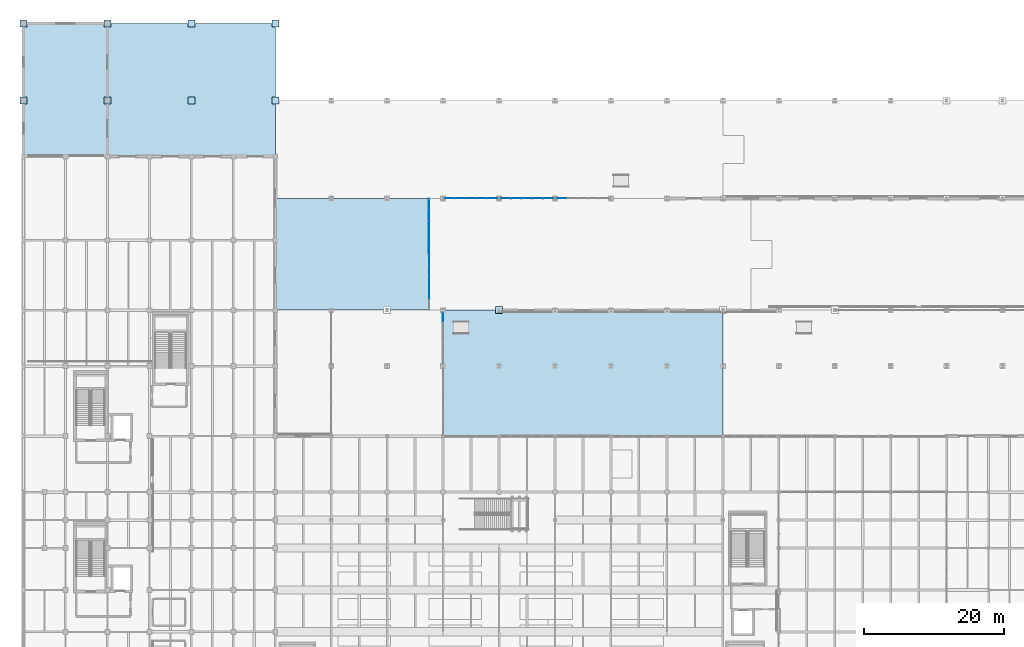
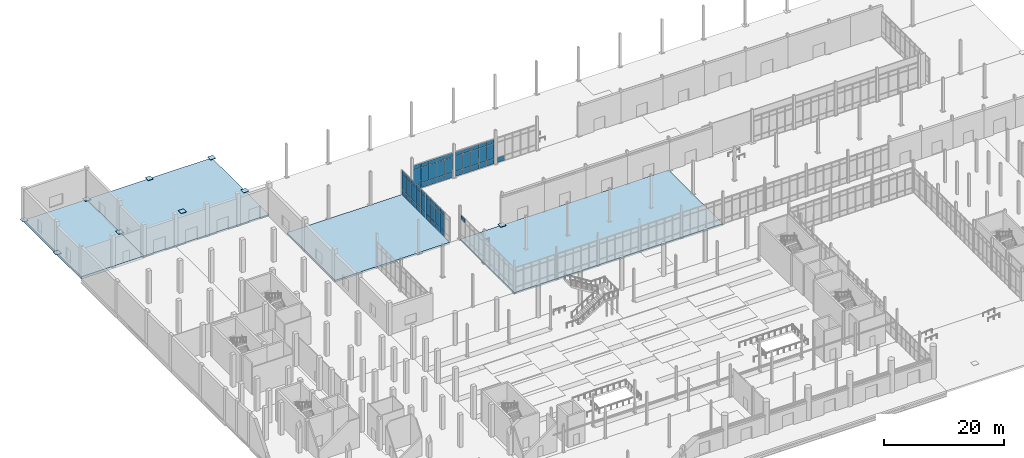
# One storey, part 104 of 140: 68 plates, 4 slabs, 6 elements without a shape of their own.
"""IFC4 building model written with IfcOpenShell, lengths in metres."""

from ifc_helpers import new_model, si_unit, direction, frame, origin, origin_2d, place, context, subcontext, project, spatial, polyline, rectangle, outline, extrude, material, layer, layer_set, type_object, element, aggregate, save


model = new_model("IFC4")

# Units and contexts
model_context = context("Model", 3, precision=1e-05, world=origin(), true_north=direction((0.0, 1.0)))
body_context = subcontext(model_context, "Body", "Model", "MODEL_VIEW")
ifc_project = project(units=[si_unit("LENGTHUNIT", "METRE"), si_unit("AREAUNIT", "SQUARE_METRE"), si_unit("VOLUMEUNIT", "CUBIC_METRE"), si_unit("PLANEANGLEUNIT", "RADIAN"), si_unit("MASSUNIT", "GRAM", prefix="KILO")], contexts=[model_context])

# Site, building, storey
site_placement = place(None, origin())
site = spatial("IfcSite", under=ifc_project, at=site_placement, CompositionType="ELEMENT")
building_placement = place(site_placement, origin())
building = spatial("IfcBuilding", under=site, at=building_placement, Name="Verrall Gate Interchange", CompositionType="ELEMENT")
storey_placement = place(building_placement, origin())
storey = spatial("IfcBuildingStorey", under=building, at=storey_placement, Name="L01", CompositionType="ELEMENT", Elevation=0.0)

# Plates
ifc_material_1 = material(Name="Structural Steel CSA G40.21 350WT Cat 4", Category="steel")
ifc_layer_1 = layer(ifc_material_1, 0.06005859375)
ifc_layer_set_1 = layer_set([ifc_layer_1], Name="Structural Steel CSA G40.21 350WT Cat 4")
plate_type_1 = type_object("IfcPlateType", Name="BP-03 Base Plate 60", PredefinedType="USERDEFINED", material=ifc_layer_set_1)
for number, where, z_axis, x_axis, name in (
    (1, (68.0, 74.0, 0.0), (0.0, 0.0, 1.0), (1.0, 0.0, 0.0), "Apron Pier Cap Plate 1636"),
    (2, (0.0, 104.0, 0.0), (0.0, 0.0, 1.0), (1.0, 0.0, 0.0), "Apron Pier Cap Plate 1650"),
    (3, (12.0, 104.0, 0.0), (0.0, 0.0, 1.0), (1.0, 0.0, 0.0), "Apron Pier Cap Plate 1652"),
    (4, (0.0, 115.0, 0.0), (0.0, 0.0, 1.0), (1.0, 0.0, 0.0), "Apron Pier Cap Plate 1654"),
    (5, (12.0, 115.0, 0.0), (0.0, 0.0, 1.0), (1.0, 0.0, 0.0), "Apron Pier Cap Plate 1656"),
    (6, (24.0, 104.0, 0.0), (0.0, 0.0, 1.0), (1.0, 0.0, 0.0), "Apron Pier Cap Plate 1657"),
    (7, (36.0, 104.0, 0.0), (0.0, 0.0, 1.0), (1.0, 0.0, 0.0), "Apron Pier Cap Plate 1658"),
    (8, (24.0, 115.0, 0.0), (0.0, 0.0, 1.0), (1.0, 0.0, 0.0), "Apron Pier Cap Plate 1659"),
    (9, (36.0, 115.0, 0.0), (0.0, 0.0, 1.0), (1.0, 0.0, 0.0), "Apron Pier Cap Plate 1660"),
):
    element("IfcPlate", number, at=place(storey_placement, frame(where, z_axis=z_axis, x_axis=x_axis)), inside=storey, type_object=plate_type_1, Name=name, ObjectType="BASE_PLATE", PredefinedType="USERDEFINED", context=body_context, shape_type="SweptSolid", body=[
        extrude(rectangle(XDim=1.0, YDim=1.0, at=origin_2d()), origin(), (0.0, 0.0, 1.0), 0.06005859375),
    ])

# Curtain wall, plate
ifc_material_2 = material(Name="Thermally Broken Anodized Aluminium Curtain Wall Framing", Category="aluminium")
curtain_wall_type_1 = type_object("IfcCurtainWallType", Name="CW-06 Unitized Curtain Wall 7631x5100", PredefinedType="NOTDEFINED", material=ifc_material_2)
curtain_wall_1_placement = place(storey_placement, origin())
curtain_wall_1 = element("IfcCurtainWall", 10, at=curtain_wall_1_placement, inside=storey, type_object=curtain_wall_type_1, Name="L01 Unitized Curtain Wall CW-L01-032", PredefinedType="NOTDEFINED")
ifc_material_3 = material(Name="Triple-Glazed Low-E Argon Insulated Curtain Panel (U=1.45)", Category="glass")
ifc_layer_2 = layer(ifc_material_3, 0.030029296875)
ifc_layer_set_2 = layer_set([ifc_layer_2], Name="Triple-Glazed Low-E Argon Insulated Curtain Panel (U=1.45)")
plate_type_2 = type_object("IfcPlateType", Name="CP-01 Curtain Glazing Panel 30", PredefinedType="CURTAIN_PANEL", material=ifc_layer_set_2)
plate_1_placement = place(storey_placement, frame((76.989501953125, 90.0, 0.0546875), z_axis=(0.0, 0.0, 1.0), x_axis=(-1.0, 0.0, 0.0)))
plate_1 = element("IfcPlate", 11, at=plate_1_placement, type_object=plate_type_2, Name="CW-L01-032 Glazing Panel 5.1", PredefinedType="CURTAIN_PANEL", context=body_context, shape_type="SweptSolid", body=[
    extrude(rectangle(XDim=1.436767578125, YDim=0.030029296875, at=origin_2d()), origin(), (0.0, 0.0, 1.0), 1.023193359375),
])
aggregate(curtain_wall_1, [plate_1])

# Curtain wall, plates
curtain_wall_2_placement = place(storey_placement, origin())
curtain_wall_2 = element("IfcCurtainWall", 12, at=curtain_wall_2_placement, inside=storey, type_object=curtain_wall_type_1, Name="L01 Unitized Curtain Wall CW-L01-033", PredefinedType="NOTDEFINED")
plate_2_placement = place(storey_placement, frame((75.008056640625, 90.0, 0.06298828125), z_axis=(0.0, 0.0, 1.0), x_axis=(-1.0, 0.0, 0.0)))
plate_2 = element("IfcPlate", 13, at=plate_2_placement, type_object=plate_type_2, Name="CW-L01-033 Glazing Panel 1.1", PredefinedType="CURTAIN_PANEL", context=body_context, shape_type="SweptSolid", body=[
    extrude(rectangle(XDim=1.4248046875, YDim=0.030029296875, at=origin_2d()), origin(), (0.0, 0.0, 1.0), 1.011474609375),
])
plate_3_placement = place(storey_placement, frame((75.008056640625, 90.0, 1.12548828125), z_axis=(0.0, 0.0, 1.0), x_axis=(-1.0, 0.0, 0.0)))
plate_3 = element("IfcPlate", 14, at=plate_3_placement, type_object=plate_type_2, Name="CW-L01-033 Glazing Panel 1.2", PredefinedType="CURTAIN_PANEL", context=body_context, shape_type="SweptSolid", body=[
    extrude(rectangle(XDim=1.4248046875, YDim=0.030029296875, at=origin_2d()), origin(), (0.0, 0.0, 1.0), 3.049072265625),
])
plate_4_placement = place(storey_placement, frame((75.008056640625, 90.0, 4.225341796875), z_axis=(0.0, 0.0, 1.0), x_axis=(-1.0, 0.0, 0.0)))
plate_4 = element("IfcPlate", 15, at=plate_4_placement, type_object=plate_type_2, Name="CW-L01-033 Glazing Panel 1.3", PredefinedType="CURTAIN_PANEL", context=body_context, shape_type="SweptSolid", body=[
    extrude(rectangle(XDim=1.4248046875, YDim=0.030029296875, at=origin_2d()), origin(), (0.0, 0.0, 1.0), 0.8115234375),
])
plate_5_placement = place(storey_placement, frame((73.513427734375, 90.0, 0.06298828125), z_axis=(0.0, 0.0, 1.0), x_axis=(-1.0, 0.0, 0.0)))
plate_5 = element("IfcPlate", 16, at=plate_5_placement, type_object=plate_type_2, Name="CW-L01-033 Glazing Panel 2.1", PredefinedType="CURTAIN_PANEL", context=body_context, shape_type="SweptSolid", body=[
    extrude(rectangle(XDim=1.46240234375, YDim=0.030029296875, at=origin_2d()), origin(), (0.0, 0.0, 1.0), 1.011474609375),
])
plate_6_placement = place(storey_placement, frame((73.513427734375, 90.0, 1.12548828125), z_axis=(0.0, 0.0, 1.0), x_axis=(-1.0, 0.0, 0.0)))
plate_6 = element("IfcPlate", 17, at=plate_6_placement, type_object=plate_type_2, Name="CW-L01-033 Glazing Panel 2.2", PredefinedType="CURTAIN_PANEL", context=body_context, shape_type="SweptSolid", body=[
    extrude(rectangle(XDim=1.46240234375, YDim=0.030029296875, at=origin_2d()), origin(), (0.0, 0.0, 1.0), 3.049072265625),
])
plate_7_placement = place(storey_placement, frame((73.513427734375, 90.0, 4.225341796875), z_axis=(0.0, 0.0, 1.0), x_axis=(-1.0, 0.0, 0.0)))
plate_7 = element("IfcPlate", 18, at=plate_7_placement, type_object=plate_type_2, Name="CW-L01-033 Glazing Panel 2.3", PredefinedType="CURTAIN_PANEL", context=body_context, shape_type="SweptSolid", body=[
    extrude(rectangle(XDim=1.46240234375, YDim=0.030029296875, at=origin_2d()), origin(), (0.0, 0.0, 1.0), 0.8115234375),
])
plate_8_placement = place(storey_placement, frame((72.0, 90.0, 0.06298828125), z_axis=(0.0, 0.0, 1.0), x_axis=(-1.0, 0.0, 0.0)))
plate_8 = element("IfcPlate", 19, at=plate_8_placement, type_object=plate_type_2, Name="CW-L01-033 Glazing Panel 3.1", PredefinedType="CURTAIN_PANEL", context=body_context, shape_type="SweptSolid", body=[
    extrude(rectangle(XDim=1.46240234375, YDim=0.030029296875, at=origin_2d()), origin(), (0.0, 0.0, 1.0), 1.011474609375),
])
plate_9_placement = place(storey_placement, frame((72.0, 90.0, 1.12548828125), z_axis=(0.0, 0.0, 1.0), x_axis=(-1.0, 0.0, 0.0)))
plate_9 = element("IfcPlate", 20, at=plate_9_placement, type_object=plate_type_2, Name="CW-L01-033 Glazing Panel 3.2", PredefinedType="CURTAIN_PANEL", context=body_context, shape_type="SweptSolid", body=[
    extrude(rectangle(XDim=1.46240234375, YDim=0.030029296875, at=origin_2d()), origin(), (0.0, 0.0, 1.0), 3.049072265625),
])
plate_10_placement = place(storey_placement, frame((72.0, 90.0, 4.225341796875), z_axis=(0.0, 0.0, 1.0), x_axis=(-1.0, 0.0, 0.0)))
plate_10 = element("IfcPlate", 21, at=plate_10_placement, type_object=plate_type_2, Name="CW-L01-033 Glazing Panel 3.3", PredefinedType="CURTAIN_PANEL", context=body_context, shape_type="SweptSolid", body=[
    extrude(rectangle(XDim=1.46240234375, YDim=0.030029296875, at=origin_2d()), origin(), (0.0, 0.0, 1.0), 0.8115234375),
])
plate_11_placement = place(storey_placement, frame((70.486572265625, 90.0, 0.06298828125), z_axis=(0.0, 0.0, 1.0), x_axis=(-1.0, 0.0, 0.0)))
plate_11 = element("IfcPlate", 22, at=plate_11_placement, type_object=plate_type_2, Name="CW-L01-033 Glazing Panel 4.1", PredefinedType="CURTAIN_PANEL", context=body_context, shape_type="SweptSolid", body=[
    extrude(rectangle(XDim=1.46240234375, YDim=0.030029296875, at=origin_2d()), origin(), (0.0, 0.0, 1.0), 1.011474609375),
])
plate_12_placement = place(storey_placement, frame((70.486572265625, 90.0, 1.12548828125), z_axis=(0.0, 0.0, 1.0), x_axis=(-1.0, 0.0, 0.0)))
plate_12 = element("IfcPlate", 23, at=plate_12_placement, type_object=plate_type_2, Name="CW-L01-033 Glazing Panel 4.2", PredefinedType="CURTAIN_PANEL", context=body_context, shape_type="SweptSolid", body=[
    extrude(rectangle(XDim=1.46240234375, YDim=0.030029296875, at=origin_2d()), origin(), (0.0, 0.0, 1.0), 3.049072265625),
])
plate_13_placement = place(storey_placement, frame((70.486572265625, 90.0, 4.225341796875), z_axis=(0.0, 0.0, 1.0), x_axis=(-1.0, 0.0, 0.0)))
plate_13 = element("IfcPlate", 24, at=plate_13_placement, type_object=plate_type_2, Name="CW-L01-033 Glazing Panel 4.3", PredefinedType="CURTAIN_PANEL", context=body_context, shape_type="SweptSolid", body=[
    extrude(rectangle(XDim=1.46240234375, YDim=0.030029296875, at=origin_2d()), origin(), (0.0, 0.0, 1.0), 0.8115234375),
])
plate_14_placement = place(storey_placement, frame((68.991943359375, 90.0, 0.06298828125), z_axis=(0.0, 0.0, 1.0), x_axis=(-1.0, 0.0, 0.0)))
plate_14 = element("IfcPlate", 25, at=plate_14_placement, type_object=plate_type_2, Name="CW-L01-033 Glazing Panel 5.1", PredefinedType="CURTAIN_PANEL", context=body_context, shape_type="SweptSolid", body=[
    extrude(rectangle(XDim=1.4248046875, YDim=0.030029296875, at=origin_2d()), origin(), (0.0, 0.0, 1.0), 1.011474609375),
])
plate_15_placement = place(storey_placement, frame((68.991943359375, 90.0, 1.12548828125), z_axis=(0.0, 0.0, 1.0), x_axis=(-1.0, 0.0, 0.0)))
plate_15 = element("IfcPlate", 26, at=plate_15_placement, type_object=plate_type_2, Name="CW-L01-033 Glazing Panel 5.2", PredefinedType="CURTAIN_PANEL", context=body_context, shape_type="SweptSolid", body=[
    extrude(rectangle(XDim=1.4248046875, YDim=0.030029296875, at=origin_2d()), origin(), (0.0, 0.0, 1.0), 3.049072265625),
])
plate_16_placement = place(storey_placement, frame((68.991943359375, 90.0, 4.225341796875), z_axis=(0.0, 0.0, 1.0), x_axis=(-1.0, 0.0, 0.0)))
plate_16 = element("IfcPlate", 27, at=plate_16_placement, type_object=plate_type_2, Name="CW-L01-033 Glazing Panel 5.3", PredefinedType="CURTAIN_PANEL", context=body_context, shape_type="SweptSolid", body=[
    extrude(rectangle(XDim=1.4248046875, YDim=0.030029296875, at=origin_2d()), origin(), (0.0, 0.0, 1.0), 0.8115234375),
])
aggregate(curtain_wall_2, [plate_2, plate_3, plate_4, plate_5, plate_6, plate_7, plate_8, plate_9, plate_10, plate_11, plate_12, plate_13, plate_14, plate_15, plate_16])

ifc_material_4 = material(Name="Thermally Broken Anodized Aluminium Curtain Wall Framing", Category="aluminium")
curtain_wall_type_2 = type_object("IfcCurtainWallType", Name="CW-09 Unitized Curtain Wall 7960x5100", PredefinedType="NOTDEFINED", material=ifc_material_4)
curtain_wall_3_placement = place(storey_placement, origin())
curtain_wall_3 = element("IfcCurtainWall", 28, at=curtain_wall_3_placement, inside=storey, type_object=curtain_wall_type_2, Name="L01 Unitized Curtain Wall CW-L01-036", PredefinedType="NOTDEFINED")
plate_17_placement = place(storey_placement, frame((58.0, 81.167724609375, 0.0546875), z_axis=(0.0, 0.0, 1.0), x_axis=(0.0, -1.0, 0.0)))
plate_17 = element("IfcPlate", 29, at=plate_17_placement, type_object=plate_type_2, Name="CW-L01-036 Glazing Panel 1.1", PredefinedType="CURTAIN_PANEL", context=body_context, shape_type="SweptSolid", body=[
    extrude(rectangle(XDim=1.515380859375, YDim=0.030029296875, at=origin_2d()), origin(), (0.0, 0.0, 1.0), 1.023193359375),
])
plate_18_placement = place(storey_placement, frame((58.0, 81.167724609375, 1.1220703125), z_axis=(0.0, 0.0, 1.0), x_axis=(0.0, -1.0, 0.0)))
plate_18 = element("IfcPlate", 30, at=plate_18_placement, type_object=plate_type_2, Name="CW-L01-036 Glazing Panel 1.2", PredefinedType="CURTAIN_PANEL", context=body_context, shape_type="SweptSolid", body=[
    extrude(rectangle(XDim=1.515380859375, YDim=0.030029296875, at=origin_2d()), origin(), (0.0, 0.0, 1.0), 3.055908203125),
])
plate_19_placement = place(storey_placement, frame((58.0, 81.167724609375, 4.22216796875), z_axis=(0.0, 0.0, 1.0), x_axis=(0.0, -1.0, 0.0)))
plate_19 = element("IfcPlate", 31, at=plate_19_placement, type_object=plate_type_2, Name="CW-L01-036 Glazing Panel 1.3", PredefinedType="CURTAIN_PANEL", context=body_context, shape_type="SweptSolid", body=[
    extrude(rectangle(XDim=1.515380859375, YDim=0.030029296875, at=origin_2d()), origin(), (0.0, 0.0, 1.0), 0.8232421875),
])
plate_20_placement = place(storey_placement, frame((58.0, 79.592041015625, 0.0546875), z_axis=(0.0, 0.0, 1.0), x_axis=(0.0, -1.0, 0.0)))
plate_20 = element("IfcPlate", 32, at=plate_20_placement, type_object=plate_type_2, Name="CW-L01-036 Glazing Panel 2.1", PredefinedType="CURTAIN_PANEL", context=body_context, shape_type="SweptSolid", body=[
    extrude(rectangle(XDim=1.5478515625, YDim=0.030029296875, at=origin_2d()), origin(), (0.0, 0.0, 1.0), 1.023193359375),
])
plate_21_placement = place(storey_placement, frame((58.0, 79.592041015625, 1.1220703125), z_axis=(0.0, 0.0, 1.0), x_axis=(0.0, -1.0, 0.0)))
plate_21 = element("IfcPlate", 33, at=plate_21_placement, type_object=plate_type_2, Name="CW-L01-036 Glazing Panel 2.2", PredefinedType="CURTAIN_PANEL", context=body_context, shape_type="SweptSolid", body=[
    extrude(rectangle(XDim=1.5478515625, YDim=0.030029296875, at=origin_2d()), origin(), (0.0, 0.0, 1.0), 3.055908203125),
])
plate_22_placement = place(storey_placement, frame((58.0, 79.592041015625, 4.22216796875), z_axis=(0.0, 0.0, 1.0), x_axis=(0.0, -1.0, 0.0)))
plate_22 = element("IfcPlate", 34, at=plate_22_placement, type_object=plate_type_2, Name="CW-L01-036 Glazing Panel 2.3", PredefinedType="CURTAIN_PANEL", context=body_context, shape_type="SweptSolid", body=[
    extrude(rectangle(XDim=1.5478515625, YDim=0.030029296875, at=origin_2d()), origin(), (0.0, 0.0, 1.0), 0.8232421875),
])
plate_23_placement = place(storey_placement, frame((58.0, 78.0, 0.0546875), z_axis=(0.0, 0.0, 1.0), x_axis=(0.0, -1.0, 0.0)))
plate_23 = element("IfcPlate", 35, at=plate_23_placement, type_object=plate_type_2, Name="CW-L01-036 Glazing Panel 3.1", PredefinedType="CURTAIN_PANEL", context=body_context, shape_type="SweptSolid", body=[
    extrude(rectangle(XDim=1.5478515625, YDim=0.030029296875, at=origin_2d()), origin(), (0.0, 0.0, 1.0), 1.023193359375),
])
plate_24_placement = place(storey_placement, frame((58.0, 78.0, 1.1220703125), z_axis=(0.0, 0.0, 1.0), x_axis=(0.0, -1.0, 0.0)))
plate_24 = element("IfcPlate", 36, at=plate_24_placement, type_object=plate_type_2, Name="CW-L01-036 Glazing Panel 3.2", PredefinedType="CURTAIN_PANEL", context=body_context, shape_type="SweptSolid", body=[
    extrude(rectangle(XDim=1.5478515625, YDim=0.030029296875, at=origin_2d()), origin(), (0.0, 0.0, 1.0), 3.055908203125),
])
plate_25_placement = place(storey_placement, frame((58.0, 78.0, 4.22216796875), z_axis=(0.0, 0.0, 1.0), x_axis=(0.0, -1.0, 0.0)))
plate_25 = element("IfcPlate", 37, at=plate_25_placement, type_object=plate_type_2, Name="CW-L01-036 Glazing Panel 3.3", PredefinedType="CURTAIN_PANEL", context=body_context, shape_type="SweptSolid", body=[
    extrude(rectangle(XDim=1.5478515625, YDim=0.030029296875, at=origin_2d()), origin(), (0.0, 0.0, 1.0), 0.8232421875),
])
plate_26_placement = place(storey_placement, frame((58.0, 76.407958984375, 0.0546875), z_axis=(0.0, 0.0, 1.0), x_axis=(0.0, -1.0, 0.0)))
plate_26 = element("IfcPlate", 38, at=plate_26_placement, type_object=plate_type_2, Name="CW-L01-036 Glazing Panel 4.1", PredefinedType="CURTAIN_PANEL", context=body_context, shape_type="SweptSolid", body=[
    extrude(rectangle(XDim=1.5478515625, YDim=0.030029296875, at=origin_2d()), origin(), (0.0, 0.0, 1.0), 1.023193359375),
])
plate_27_placement = place(storey_placement, frame((58.0, 76.407958984375, 1.1220703125), z_axis=(0.0, 0.0, 1.0), x_axis=(0.0, -1.0, 0.0)))
plate_27 = element("IfcPlate", 39, at=plate_27_placement, type_object=plate_type_2, Name="CW-L01-036 Glazing Panel 4.2", PredefinedType="CURTAIN_PANEL", context=body_context, shape_type="SweptSolid", body=[
    extrude(rectangle(XDim=1.5478515625, YDim=0.030029296875, at=origin_2d()), origin(), (0.0, 0.0, 1.0), 3.055908203125),
])
plate_28_placement = place(storey_placement, frame((58.0, 76.407958984375, 4.22216796875), z_axis=(0.0, 0.0, 1.0), x_axis=(0.0, -1.0, 0.0)))
plate_28 = element("IfcPlate", 40, at=plate_28_placement, type_object=plate_type_2, Name="CW-L01-036 Glazing Panel 4.3", PredefinedType="CURTAIN_PANEL", context=body_context, shape_type="SweptSolid", body=[
    extrude(rectangle(XDim=1.5478515625, YDim=0.030029296875, at=origin_2d()), origin(), (0.0, 0.0, 1.0), 0.8232421875),
])
aggregate(curtain_wall_3, [plate_17, plate_18, plate_19, plate_20, plate_21, plate_22, plate_23, plate_24, plate_25, plate_26, plate_27, plate_28])

# Curtain wall, plate
curtain_wall_4_placement = place(storey_placement, origin())
curtain_wall_4 = element("IfcCurtainWall", 41, at=curtain_wall_4_placement, inside=storey, type_object=curtain_wall_type_1, Name="L01 Unitized Curtain Wall CW-L01-023", PredefinedType="NOTDEFINED")
ifc_material_5 = material(Name="Triple-Glazed Low-E Argon Insulated Curtain Panel (U=1.45)", Category="glass")
ifc_layer_3 = layer(ifc_material_5, 0.0400390625)
ifc_layer_set_3 = layer_set([ifc_layer_3], Name="Triple-Glazed Low-E Argon Insulated Curtain Panel (U=1.45)")
plate_type_3 = type_object("IfcPlateType", Name="CP-02 Curtain Glazing Panel 40", PredefinedType="CURTAIN_PANEL", material=ifc_layer_set_3)
plate_29_placement = place(storey_placement, frame((60.0, 73.01318359375, 4.225341796875), z_axis=(0.0, 0.0, 1.0), x_axis=(0.0, -1.0, 0.0)))
plate_29 = element("IfcPlate", 42, at=plate_29_placement, type_object=plate_type_3, Name="CW-L01-023 Glazing Panel 1.3", PredefinedType="CURTAIN_PANEL", context=body_context, shape_type="SweptSolid", body=[
    extrude(rectangle(XDim=1.427490234375, YDim=0.0400390625, at=origin_2d()), origin(), (0.0, 0.0, 1.0), 0.8115234375),
])
aggregate(curtain_wall_4, [plate_29])

# Curtain wall, plates
curtain_wall_5_placement = place(storey_placement, origin())
curtain_wall_5 = element("IfcCurtainWall", 43, at=curtain_wall_5_placement, inside=storey, type_object=curtain_wall_type_1, Name="L01 Unitized Curtain Wall CW-L01-034", PredefinedType="NOTDEFINED")
plate_30_placement = place(storey_placement, frame((67.010498046875, 90.0, 0.0546875), z_axis=(0.0, 0.0, 1.0), x_axis=(-1.0, 0.0, 0.0)))
plate_30 = element("IfcPlate", 44, at=plate_30_placement, type_object=plate_type_3, Name="CW-L01-034 Glazing Panel 1.1", PredefinedType="CURTAIN_PANEL", context=body_context, shape_type="SweptSolid", body=[
    extrude(rectangle(XDim=1.436767578125, YDim=0.0400390625, at=origin_2d()), origin(), (0.0, 0.0, 1.0), 1.023193359375),
])
plate_31_placement = place(storey_placement, frame((67.010498046875, 90.0, 1.1220703125), z_axis=(0.0, 0.0, 1.0), x_axis=(-1.0, 0.0, 0.0)))
plate_31 = element("IfcPlate", 45, at=plate_31_placement, type_object=plate_type_3, Name="CW-L01-034 Glazing Panel 1.2", PredefinedType="CURTAIN_PANEL", context=body_context, shape_type="SweptSolid", body=[
    extrude(rectangle(XDim=1.436767578125, YDim=0.0400390625, at=origin_2d()), origin(), (0.0, 0.0, 1.0), 3.055908203125),
])
plate_32_placement = place(storey_placement, frame((67.010498046875, 90.0, 4.22216796875), z_axis=(0.0, 0.0, 1.0), x_axis=(-1.0, 0.0, 0.0)))
plate_32 = element("IfcPlate", 46, at=plate_32_placement, type_object=plate_type_3, Name="CW-L01-034 Glazing Panel 1.3", PredefinedType="CURTAIN_PANEL", context=body_context, shape_type="SweptSolid", body=[
    extrude(rectangle(XDim=1.436767578125, YDim=0.0400390625, at=origin_2d()), origin(), (0.0, 0.0, 1.0), 0.8232421875),
])
plate_33_placement = place(storey_placement, frame((65.513427734375, 90.0, 0.0546875), z_axis=(0.0, 0.0, 1.0), x_axis=(-1.0, 0.0, 0.0)))
plate_33 = element("IfcPlate", 47, at=plate_33_placement, type_object=plate_type_3, Name="CW-L01-034 Glazing Panel 2.1", PredefinedType="CURTAIN_PANEL", context=body_context, shape_type="SweptSolid", body=[
    extrude(rectangle(XDim=1.46923828125, YDim=0.0400390625, at=origin_2d()), origin(), (0.0, 0.0, 1.0), 1.023193359375),
])
plate_34_placement = place(storey_placement, frame((65.513427734375, 90.0, 1.1220703125), z_axis=(0.0, 0.0, 1.0), x_axis=(-1.0, 0.0, 0.0)))
plate_34 = element("IfcPlate", 48, at=plate_34_placement, type_object=plate_type_3, Name="CW-L01-034 Glazing Panel 2.2", PredefinedType="CURTAIN_PANEL", context=body_context, shape_type="SweptSolid", body=[
    extrude(rectangle(XDim=1.46923828125, YDim=0.0400390625, at=origin_2d()), origin(), (0.0, 0.0, 1.0), 3.055908203125),
])
plate_35_placement = place(storey_placement, frame((65.513427734375, 90.0, 4.22216796875), z_axis=(0.0, 0.0, 1.0), x_axis=(-1.0, 0.0, 0.0)))
plate_35 = element("IfcPlate", 49, at=plate_35_placement, type_object=plate_type_3, Name="CW-L01-034 Glazing Panel 2.3", PredefinedType="CURTAIN_PANEL", context=body_context, shape_type="SweptSolid", body=[
    extrude(rectangle(XDim=1.46923828125, YDim=0.0400390625, at=origin_2d()), origin(), (0.0, 0.0, 1.0), 0.8232421875),
])
plate_36_placement = place(storey_placement, frame((64.0, 90.0, 0.0546875), z_axis=(0.0, 0.0, 1.0), x_axis=(-1.0, 0.0, 0.0)))
plate_36 = element("IfcPlate", 50, at=plate_36_placement, type_object=plate_type_3, Name="CW-L01-034 Glazing Panel 3.1", PredefinedType="CURTAIN_PANEL", context=body_context, shape_type="SweptSolid", body=[
    extrude(rectangle(XDim=1.46923828125, YDim=0.0400390625, at=origin_2d()), origin(), (0.0, 0.0, 1.0), 1.023193359375),
])
plate_37_placement = place(storey_placement, frame((64.0, 90.0, 1.1220703125), z_axis=(0.0, 0.0, 1.0), x_axis=(-1.0, 0.0, 0.0)))
plate_37 = element("IfcPlate", 51, at=plate_37_placement, type_object=plate_type_3, Name="CW-L01-034 Glazing Panel 3.2", PredefinedType="CURTAIN_PANEL", context=body_context, shape_type="SweptSolid", body=[
    extrude(rectangle(XDim=1.46923828125, YDim=0.0400390625, at=origin_2d()), origin(), (0.0, 0.0, 1.0), 3.055908203125),
])
plate_38_placement = place(storey_placement, frame((64.0, 90.0, 4.22216796875), z_axis=(0.0, 0.0, 1.0), x_axis=(-1.0, 0.0, 0.0)))
plate_38 = element("IfcPlate", 52, at=plate_38_placement, type_object=plate_type_3, Name="CW-L01-034 Glazing Panel 3.3", PredefinedType="CURTAIN_PANEL", context=body_context, shape_type="SweptSolid", body=[
    extrude(rectangle(XDim=1.46923828125, YDim=0.0400390625, at=origin_2d()), origin(), (0.0, 0.0, 1.0), 0.8232421875),
])
plate_39_placement = place(storey_placement, frame((62.486572265625, 90.0, 0.0546875), z_axis=(0.0, 0.0, 1.0), x_axis=(-1.0, 0.0, 0.0)))
plate_39 = element("IfcPlate", 53, at=plate_39_placement, type_object=plate_type_3, Name="CW-L01-034 Glazing Panel 4.1", PredefinedType="CURTAIN_PANEL", context=body_context, shape_type="SweptSolid", body=[
    extrude(rectangle(XDim=1.46923828125, YDim=0.0400390625, at=origin_2d()), origin(), (0.0, 0.0, 1.0), 1.023193359375),
])
plate_40_placement = place(storey_placement, frame((62.486572265625, 90.0, 1.1220703125), z_axis=(0.0, 0.0, 1.0), x_axis=(-1.0, 0.0, 0.0)))
plate_40 = element("IfcPlate", 54, at=plate_40_placement, type_object=plate_type_3, Name="CW-L01-034 Glazing Panel 4.2", PredefinedType="CURTAIN_PANEL", context=body_context, shape_type="SweptSolid", body=[
    extrude(rectangle(XDim=1.46923828125, YDim=0.0400390625, at=origin_2d()), origin(), (0.0, 0.0, 1.0), 3.055908203125),
])
plate_41_placement = place(storey_placement, frame((62.486572265625, 90.0, 4.22216796875), z_axis=(0.0, 0.0, 1.0), x_axis=(-1.0, 0.0, 0.0)))
plate_41 = element("IfcPlate", 55, at=plate_41_placement, type_object=plate_type_3, Name="CW-L01-034 Glazing Panel 4.3", PredefinedType="CURTAIN_PANEL", context=body_context, shape_type="SweptSolid", body=[
    extrude(rectangle(XDim=1.46923828125, YDim=0.0400390625, at=origin_2d()), origin(), (0.0, 0.0, 1.0), 0.8232421875),
])
plate_42_placement = place(storey_placement, frame((60.989501953125, 90.0, 0.0546875), z_axis=(0.0, 0.0, 1.0), x_axis=(-1.0, 0.0, 0.0)))
plate_42 = element("IfcPlate", 56, at=plate_42_placement, type_object=plate_type_3, Name="CW-L01-034 Glazing Panel 5.1", PredefinedType="CURTAIN_PANEL", context=body_context, shape_type="SweptSolid", body=[
    extrude(rectangle(XDim=1.436767578125, YDim=0.0400390625, at=origin_2d()), origin(), (0.0, 0.0, 1.0), 1.023193359375),
])
plate_43_placement = place(storey_placement, frame((60.989501953125, 90.0, 1.1220703125), z_axis=(0.0, 0.0, 1.0), x_axis=(-1.0, 0.0, 0.0)))
plate_43 = element("IfcPlate", 57, at=plate_43_placement, type_object=plate_type_3, Name="CW-L01-034 Glazing Panel 5.2", PredefinedType="CURTAIN_PANEL", context=body_context, shape_type="SweptSolid", body=[
    extrude(rectangle(XDim=1.436767578125, YDim=0.0400390625, at=origin_2d()), origin(), (0.0, 0.0, 1.0), 3.055908203125),
])
plate_44_placement = place(storey_placement, frame((60.989501953125, 90.0, 4.22216796875), z_axis=(0.0, 0.0, 1.0), x_axis=(-1.0, 0.0, 0.0)))
plate_44 = element("IfcPlate", 58, at=plate_44_placement, type_object=plate_type_3, Name="CW-L01-034 Glazing Panel 5.3", PredefinedType="CURTAIN_PANEL", context=body_context, shape_type="SweptSolid", body=[
    extrude(rectangle(XDim=1.436767578125, YDim=0.0400390625, at=origin_2d()), origin(), (0.0, 0.0, 1.0), 0.8232421875),
])
aggregate(curtain_wall_5, [plate_30, plate_31, plate_32, plate_33, plate_34, plate_35, plate_36, plate_37, plate_38, plate_39, plate_40, plate_41, plate_42, plate_43, plate_44])

curtain_wall_6_placement = place(storey_placement, origin())
curtain_wall_6 = element("IfcCurtainWall", 59, at=curtain_wall_6_placement, inside=storey, type_object=curtain_wall_type_2, Name="L01 Unitized Curtain Wall CW-L01-035", PredefinedType="NOTDEFINED")
plate_45_placement = place(storey_placement, frame((58.0, 89.165283203125, 0.06298828125), z_axis=(0.0, 0.0, 1.0), x_axis=(0.0, -1.0, 0.0)))
plate_45 = element("IfcPlate", 60, at=plate_45_placement, type_object=plate_type_3, Name="CW-L01-035 Glazing Panel 1.1", PredefinedType="CURTAIN_PANEL", context=body_context, shape_type="SweptSolid", body=[
    extrude(rectangle(XDim=1.50341796875, YDim=0.0400390625, at=origin_2d()), origin(), (0.0, 0.0, 1.0), 1.011474609375),
])
plate_46_placement = place(storey_placement, frame((58.0, 89.165283203125, 1.12548828125), z_axis=(0.0, 0.0, 1.0), x_axis=(0.0, -1.0, 0.0)))
plate_46 = element("IfcPlate", 61, at=plate_46_placement, type_object=plate_type_3, Name="CW-L01-035 Glazing Panel 1.2", PredefinedType="CURTAIN_PANEL", context=body_context, shape_type="SweptSolid", body=[
    extrude(rectangle(XDim=1.50341796875, YDim=0.0400390625, at=origin_2d()), origin(), (0.0, 0.0, 1.0), 3.049072265625),
])
plate_47_placement = place(storey_placement, frame((58.0, 89.165283203125, 4.225341796875), z_axis=(0.0, 0.0, 1.0), x_axis=(0.0, -1.0, 0.0)))
plate_47 = element("IfcPlate", 62, at=plate_47_placement, type_object=plate_type_3, Name="CW-L01-035 Glazing Panel 1.3", PredefinedType="CURTAIN_PANEL", context=body_context, shape_type="SweptSolid", body=[
    extrude(rectangle(XDim=1.50341796875, YDim=0.0400390625, at=origin_2d()), origin(), (0.0, 0.0, 1.0), 0.8115234375),
])
plate_48_placement = place(storey_placement, frame((58.0, 87.592041015625, 0.06298828125), z_axis=(0.0, 0.0, 1.0), x_axis=(0.0, -1.0, 0.0)))
plate_48 = element("IfcPlate", 63, at=plate_48_placement, type_object=plate_type_3, Name="CW-L01-035 Glazing Panel 2.1", PredefinedType="CURTAIN_PANEL", context=body_context, shape_type="SweptSolid", body=[
    extrude(rectangle(XDim=1.541015625, YDim=0.0400390625, at=origin_2d()), origin(), (0.0, 0.0, 1.0), 1.011474609375),
])
plate_49_placement = place(storey_placement, frame((58.0, 87.592041015625, 1.12548828125), z_axis=(0.0, 0.0, 1.0), x_axis=(0.0, -1.0, 0.0)))
plate_49 = element("IfcPlate", 64, at=plate_49_placement, type_object=plate_type_3, Name="CW-L01-035 Glazing Panel 2.2", PredefinedType="CURTAIN_PANEL", context=body_context, shape_type="SweptSolid", body=[
    extrude(rectangle(XDim=1.541015625, YDim=0.0400390625, at=origin_2d()), origin(), (0.0, 0.0, 1.0), 3.049072265625),
])
plate_50_placement = place(storey_placement, frame((58.0, 87.592041015625, 4.225341796875), z_axis=(0.0, 0.0, 1.0), x_axis=(0.0, -1.0, 0.0)))
plate_50 = element("IfcPlate", 65, at=plate_50_placement, type_object=plate_type_3, Name="CW-L01-035 Glazing Panel 2.3", PredefinedType="CURTAIN_PANEL", context=body_context, shape_type="SweptSolid", body=[
    extrude(rectangle(XDim=1.541015625, YDim=0.0400390625, at=origin_2d()), origin(), (0.0, 0.0, 1.0), 0.8115234375),
])
plate_51_placement = place(storey_placement, frame((58.0, 86.0, 0.06298828125), z_axis=(0.0, 0.0, 1.0), x_axis=(0.0, -1.0, 0.0)))
plate_51 = element("IfcPlate", 66, at=plate_51_placement, type_object=plate_type_3, Name="CW-L01-035 Glazing Panel 3.1", PredefinedType="CURTAIN_PANEL", context=body_context, shape_type="SweptSolid", body=[
    extrude(rectangle(XDim=1.541015625, YDim=0.0400390625, at=origin_2d()), origin(), (0.0, 0.0, 1.0), 1.011474609375),
])
plate_52_placement = place(storey_placement, frame((58.0, 86.0, 1.12548828125), z_axis=(0.0, 0.0, 1.0), x_axis=(0.0, -1.0, 0.0)))
plate_52 = element("IfcPlate", 67, at=plate_52_placement, type_object=plate_type_3, Name="CW-L01-035 Glazing Panel 3.2", PredefinedType="CURTAIN_PANEL", context=body_context, shape_type="SweptSolid", body=[
    extrude(rectangle(XDim=1.541015625, YDim=0.0400390625, at=origin_2d()), origin(), (0.0, 0.0, 1.0), 3.049072265625),
])
plate_53_placement = place(storey_placement, frame((58.0, 86.0, 4.225341796875), z_axis=(0.0, 0.0, 1.0), x_axis=(0.0, -1.0, 0.0)))
plate_53 = element("IfcPlate", 68, at=plate_53_placement, type_object=plate_type_3, Name="CW-L01-035 Glazing Panel 3.3", PredefinedType="CURTAIN_PANEL", context=body_context, shape_type="SweptSolid", body=[
    extrude(rectangle(XDim=1.541015625, YDim=0.0400390625, at=origin_2d()), origin(), (0.0, 0.0, 1.0), 0.8115234375),
])
plate_54_placement = place(storey_placement, frame((58.0, 84.407958984375, 0.06298828125), z_axis=(0.0, 0.0, 1.0), x_axis=(0.0, -1.0, 0.0)))
plate_54 = element("IfcPlate", 69, at=plate_54_placement, type_object=plate_type_3, Name="CW-L01-035 Glazing Panel 4.1", PredefinedType="CURTAIN_PANEL", context=body_context, shape_type="SweptSolid", body=[
    extrude(rectangle(XDim=1.541015625, YDim=0.0400390625, at=origin_2d()), origin(), (0.0, 0.0, 1.0), 1.011474609375),
])
plate_55_placement = place(storey_placement, frame((58.0, 84.407958984375, 1.12548828125), z_axis=(0.0, 0.0, 1.0), x_axis=(0.0, -1.0, 0.0)))
plate_55 = element("IfcPlate", 70, at=plate_55_placement, type_object=plate_type_3, Name="CW-L01-035 Glazing Panel 4.2", PredefinedType="CURTAIN_PANEL", context=body_context, shape_type="SweptSolid", body=[
    extrude(rectangle(XDim=1.541015625, YDim=0.0400390625, at=origin_2d()), origin(), (0.0, 0.0, 1.0), 3.049072265625),
])
plate_56_placement = place(storey_placement, frame((58.0, 84.407958984375, 4.225341796875), z_axis=(0.0, 0.0, 1.0), x_axis=(0.0, -1.0, 0.0)))
plate_56 = element("IfcPlate", 71, at=plate_56_placement, type_object=plate_type_3, Name="CW-L01-035 Glazing Panel 4.3", PredefinedType="CURTAIN_PANEL", context=body_context, shape_type="SweptSolid", body=[
    extrude(rectangle(XDim=1.541015625, YDim=0.0400390625, at=origin_2d()), origin(), (0.0, 0.0, 1.0), 0.8115234375),
])
plate_57_placement = place(storey_placement, frame((58.0, 82.834716796875, 0.06298828125), z_axis=(0.0, 0.0, 1.0), x_axis=(0.0, -1.0, 0.0)))
plate_57 = element("IfcPlate", 72, at=plate_57_placement, type_object=plate_type_3, Name="CW-L01-035 Glazing Panel 5.1", PredefinedType="CURTAIN_PANEL", context=body_context, shape_type="SweptSolid", body=[
    extrude(rectangle(XDim=1.50341796875, YDim=0.0400390625, at=origin_2d()), origin(), (0.0, 0.0, 1.0), 1.011474609375),
])
plate_58_placement = place(storey_placement, frame((58.0, 82.834716796875, 1.12548828125), z_axis=(0.0, 0.0, 1.0), x_axis=(0.0, -1.0, 0.0)))
plate_58 = element("IfcPlate", 73, at=plate_58_placement, type_object=plate_type_3, Name="CW-L01-035 Glazing Panel 5.2", PredefinedType="CURTAIN_PANEL", context=body_context, shape_type="SweptSolid", body=[
    extrude(rectangle(XDim=1.50341796875, YDim=0.0400390625, at=origin_2d()), origin(), (0.0, 0.0, 1.0), 3.049072265625),
])
plate_59_placement = place(storey_placement, frame((58.0, 82.834716796875, 4.225341796875), z_axis=(0.0, 0.0, 1.0), x_axis=(0.0, -1.0, 0.0)))
plate_59 = element("IfcPlate", 74, at=plate_59_placement, type_object=plate_type_3, Name="CW-L01-035 Glazing Panel 5.3", PredefinedType="CURTAIN_PANEL", context=body_context, shape_type="SweptSolid", body=[
    extrude(rectangle(XDim=1.50341796875, YDim=0.0400390625, at=origin_2d()), origin(), (0.0, 0.0, 1.0), 0.8115234375),
])
aggregate(curtain_wall_6, [plate_45, plate_46, plate_47, plate_48, plate_49, plate_50, plate_51, plate_52, plate_53, plate_54, plate_55, plate_56, plate_57, plate_58, plate_59])

# Slabs
ifc_material_6 = material(Name="Concrete CSA A23.1 35 MPa (Class S-2)", Category="concrete")
ifc_layer_4 = layer(ifc_material_6, 0.5)
ifc_layer_set_4 = layer_set([ifc_layer_4], Name="Concrete CSA A23.1 35 MPa (Class S-2)")
slab_type_1 = type_object("IfcSlabType", Name="FS-02 Base Slab 500", PredefinedType="BASESLAB", material=ifc_layer_set_4)
slab_1_placement = place(storey_placement, frame((0.0, 0.0, -0.5)))
element("IfcSlab", 75, at=slab_1_placement, inside=storey, type_object=slab_type_1, Name="L01 Structural Slab SLB-L01-05", PredefinedType="BASESLAB", context=body_context, shape_type="SweptSolid", body=[
    extrude(outline(polyline([(0.0, 115.0), (12.0, 115.0), (12.0, 96.0), (0.0, 96.0), (0.0, 115.0)])), origin(), (0.0, 0.0, 1.0), 0.5),
])
ifc_material_7 = material(Name="Concrete CSA A23.1 40 MPa (Class C-1)", Category="concrete")
ifc_layer_5 = layer(ifc_material_7, 0.35009765625)
ifc_layer_set_5 = layer_set([ifc_layer_5], Name="Concrete CSA A23.1 40 MPa (Class C-1)")
slab_type_2 = type_object("IfcSlabType", Name="FS-05 Floor Slab 350", PredefinedType="FLOOR", material=ifc_layer_set_5)
slab_2_placement = place(storey_placement, frame((0.0, 0.0, -0.35009765625)))
element("IfcSlab", 76, at=slab_2_placement, inside=storey, type_object=slab_type_2, Name="L01 Structural Slab SLB-L01-AP1", PredefinedType="FLOOR", context=body_context, shape_type="SweptSolid", body=[
    extrude(outline(polyline([(84.0, 56.0), (60.0, 56.0), (60.0, 74.0), (100.0, 74.0), (100.0, 56.0), (84.0, 56.0)])), origin(), (0.0, 0.0, 1.0), 0.35009765625),
])
slab_3_placement = place(storey_placement, frame((0.0, 0.0, -0.35009765625)))
element("IfcSlab", 77, at=slab_3_placement, inside=storey, type_object=slab_type_2, Name="L01 Structural Slab SLB-L01-AP5", PredefinedType="FLOOR", context=body_context, shape_type="SweptSolid", body=[
    extrude(outline(polyline([(36.0, 90.0), (58.0, 90.0), (58.0, 74.0), (44.0, 74.0), (36.0, 74.0), (36.0, 90.0)])), origin(), (0.0, 0.0, 1.0), 0.35009765625),
])
slab_4_placement = place(storey_placement, frame((0.0, 0.0, -0.35009765625)))
element("IfcSlab", 78, at=slab_4_placement, inside=storey, type_object=slab_type_2, Name="L01 Structural Slab SLB-L01-AP7", PredefinedType="FLOOR", context=body_context, shape_type="SweptSolid", body=[
    extrude(outline(polyline([(12.0, 115.0), (36.0, 115.0), (36.0, 104.0), (36.0, 96.0), (18.0, 96.0), (12.0, 96.0), (12.0, 115.0)])), origin(), (0.0, 0.0, 1.0), 0.35009765625),
])

save(model, "model.ifc")
